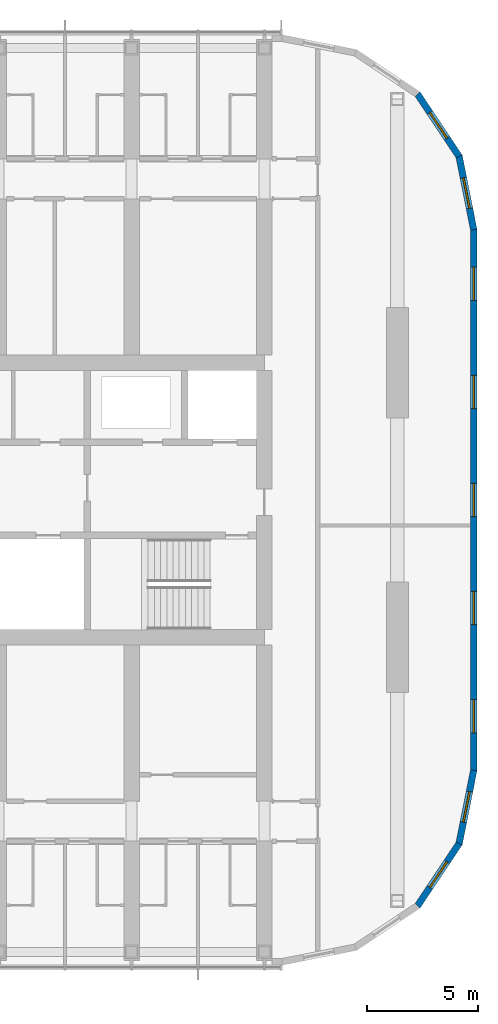
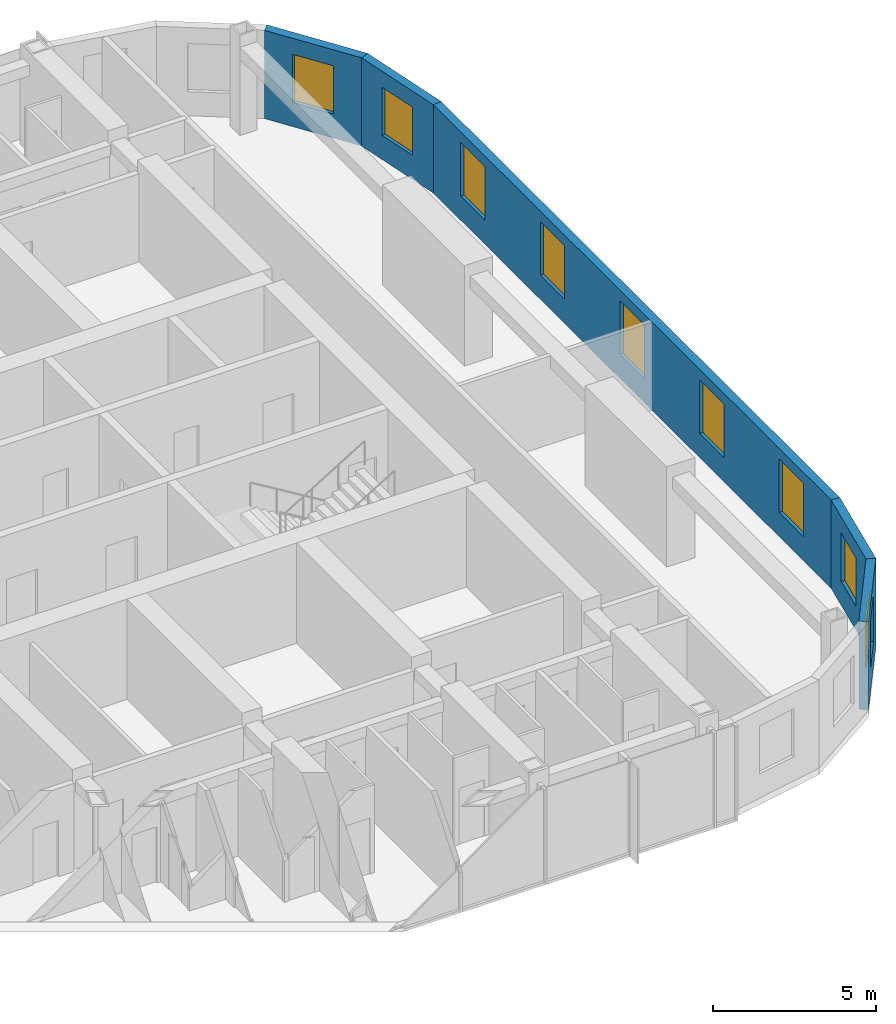
# One storey, part 19 of 24: 9 windows, 5 walls, 9 openings.
"""IFC4 building model written with IfcOpenShell, lengths in metres."""

from ifc_helpers import new_model, si_unit, direction, frame, frame_2d, origin, place, context, subcontext, project, spatial, polyline, rectangle, outline, extrude, material, layer, layer_set, type_object, element, fill, save


model = new_model("IFC4")

# Units and contexts
model_context = context("Model", 3, precision=1e-05, world=origin(), true_north=direction((0.0, 1.0)))
body_context = subcontext(model_context, "Body", "Model", "MODEL_VIEW")
ifc_project = project(units=[si_unit("LENGTHUNIT", "METRE"), si_unit("AREAUNIT", "SQUARE_METRE"), si_unit("VOLUMEUNIT", "CUBIC_METRE"), si_unit("PLANEANGLEUNIT", "RADIAN"), si_unit("MASSUNIT", "GRAM", prefix="KILO")], contexts=[model_context])

# Site, building, storey
site_placement = place(None, origin())
site = spatial("IfcSite", under=ifc_project, at=site_placement, CompositionType="ELEMENT")
building_placement = place(site_placement, origin())
building = spatial("IfcBuilding", under=site, at=building_placement, Name="Orbita Commons", CompositionType="ELEMENT")
storey_placement = place(building_placement, frame((0.0, 0.0, 242.800048828125)))
storey = spatial("IfcBuildingStorey", under=building, at=storey_placement, Name="L60", CompositionType="ELEMENT", Elevation=242.800048828125)

# Wall, openings, windows
ifc_material_1 = material(Name="Precast concrete C40/50, white board-marked finish", Category="concrete")
ifc_layer = layer(ifc_material_1, 0.300048828125)
ifc_layer_set = layer_set([ifc_layer], Name="Precast concrete C40/50, white board-marked finish")
wall_type = type_object("IfcWallType", Name="Precast concrete end shield 300", PredefinedType="SOLIDWALL", material=ifc_layer_set)
wall_1_placement = place(storey_placement, frame((75.449951171875, 19.800048828125, 0.0), z_axis=(0.0, 0.0, 1.0), x_axis=(0.0, 1.0, 0.0)))
wall_1 = element("IfcWall", 1, at=wall_1_placement, inside=storey, type_object=wall_type, Name="End shield E L60", PredefinedType="SOLIDWALL", context=body_context, shape_type="SweptSolid", body=[
    extrude(outline(polyline([(-0.014892578125, -0.14990234375), (24.414794921875, -0.14990234375), (24.385009765625, 0.14990234375), (0.014892578125, 0.14990234375), (-0.014892578125, -0.14990234375)])), origin(), (0.0, 0.0, 1.0), 3.300048828125),
])
opening_1_placement = place(wall_1_placement, frame((1.68994140625, 0.0, 0.89990234375)))
opening_1 = element("IfcOpeningElement", 2, at=opening_1_placement, cuts=wall_1, Name="Opening W01", PredefinedType="OPENING", context=body_context, shape_type="SweptSolid", body=[
    extrude(rectangle(XDim=1.5, YDim=2.0, at=frame_2d((0.75, 1.0))), frame((0.0, 0.159912109375, 0.0), z_axis=(0.0, -1.0, 0.0), x_axis=(1.0, 0.0, 0.0)), (0.0, 0.0, 1.0), 0.320068359375),
])
opening_2_placement = place(wall_1_placement, frame((6.570068359375, 0.0, 0.89990234375)))
opening_2 = element("IfcOpeningElement", 3, at=opening_2_placement, cuts=wall_1, Name="Opening W01", PredefinedType="OPENING", context=body_context, shape_type="SweptSolid", body=[
    extrude(rectangle(XDim=1.5, YDim=2.0, at=frame_2d((0.75, 1.0))), frame((0.0, 0.159912109375, 0.0), z_axis=(0.0, -1.0, 0.0), x_axis=(1.0, 0.0, 0.0)), (0.0, 0.0, 1.0), 0.320068359375),
])
opening_3_placement = place(wall_1_placement, frame((11.449951171875, 0.0, 0.89990234375)))
opening_3 = element("IfcOpeningElement", 4, at=opening_3_placement, cuts=wall_1, Name="Opening W01", PredefinedType="OPENING", context=body_context, shape_type="SweptSolid", body=[
    extrude(rectangle(XDim=1.5, YDim=2.0, at=frame_2d((0.75, 1.0))), frame((0.0, 0.159912109375, 0.0), z_axis=(0.0, -1.0, 0.0), x_axis=(1.0, 0.0, 0.0)), (0.0, 0.0, 1.0), 0.320068359375),
])
opening_4_placement = place(wall_1_placement, frame((16.330078125, 0.0, 0.89990234375)))
opening_4 = element("IfcOpeningElement", 5, at=opening_4_placement, cuts=wall_1, Name="Opening W01", PredefinedType="OPENING", context=body_context, shape_type="SweptSolid", body=[
    extrude(rectangle(XDim=1.5, YDim=2.0, at=frame_2d((0.75, 1.0))), frame((0.0, 0.159912109375, 0.0), z_axis=(0.0, -1.0, 0.0), x_axis=(1.0, 0.0, 0.0)), (0.0, 0.0, 1.0), 0.320068359375),
])
opening_5_placement = place(wall_1_placement, frame((21.2099609375, 0.0, 0.89990234375)))
opening_5 = element("IfcOpeningElement", 6, at=opening_5_placement, cuts=wall_1, Name="Opening W01", PredefinedType="OPENING", context=body_context, shape_type="SweptSolid", body=[
    extrude(rectangle(XDim=1.5, YDim=2.0, at=frame_2d((0.75, 1.0))), frame((0.0, 0.159912109375, 0.0), z_axis=(0.0, -1.0, 0.0), x_axis=(1.0, 0.0, 0.0)), (0.0, 0.0, 1.0), 0.320068359375),
])
ifc_material_2 = material(Name="Aluminium frame, clear double glazing", Category="aluminium")
window_type_1 = type_object("IfcWindowType", Name="Deep-set window 1500x2000", PartitioningType="SINGLE_PANEL", PredefinedType="WINDOW", material=ifc_material_2)
window_1_placement = place(opening_1_placement, origin())
window_1 = element("IfcWindow", 7, at=window_1_placement, inside=storey, type_object=window_type_1, Name="Window L60-E 1", OverallHeight=2.0, OverallWidth=1.5, PartitioningType="SINGLE_PANEL", PredefinedType="WINDOW", context=body_context, shape_type="SweptSolid", body=[
    extrude(rectangle(XDim=1.5, YDim=2.0, at=frame_2d((0.75, 1.0))), frame((0.0, 0.030029296875, 0.0), z_axis=(0.0, -1.0, 0.0), x_axis=(1.0, 0.0, 0.0)), (0.0, 0.0, 1.0), 0.06005859375),
])
fill(opening_1, window_1)
window_2_placement = place(opening_2_placement, origin())
window_2 = element("IfcWindow", 8, at=window_2_placement, inside=storey, type_object=window_type_1, Name="Window L60-E 2", OverallHeight=2.0, OverallWidth=1.5, PartitioningType="SINGLE_PANEL", PredefinedType="WINDOW", context=body_context, shape_type="SweptSolid", body=[
    extrude(rectangle(XDim=1.5, YDim=2.0, at=frame_2d((0.75, 1.0))), frame((0.0, 0.030029296875, 0.0), z_axis=(0.0, -1.0, 0.0), x_axis=(1.0, 0.0, 0.0)), (0.0, 0.0, 1.0), 0.06005859375),
])
fill(opening_2, window_2)
window_3_placement = place(opening_3_placement, origin())
window_3 = element("IfcWindow", 9, at=window_3_placement, inside=storey, type_object=window_type_1, Name="Window L60-E 3", OverallHeight=2.0, OverallWidth=1.5, PartitioningType="SINGLE_PANEL", PredefinedType="WINDOW", context=body_context, shape_type="SweptSolid", body=[
    extrude(rectangle(XDim=1.5, YDim=2.0, at=frame_2d((0.75, 1.0))), frame((0.0, 0.030029296875, 0.0), z_axis=(0.0, -1.0, 0.0), x_axis=(1.0, 0.0, 0.0)), (0.0, 0.0, 1.0), 0.06005859375),
])
fill(opening_3, window_3)
window_4_placement = place(opening_4_placement, origin())
window_4 = element("IfcWindow", 10, at=window_4_placement, inside=storey, type_object=window_type_1, Name="Window L60-E 4", OverallHeight=2.0, OverallWidth=1.5, PartitioningType="SINGLE_PANEL", PredefinedType="WINDOW", context=body_context, shape_type="SweptSolid", body=[
    extrude(rectangle(XDim=1.5, YDim=2.0, at=frame_2d((0.75, 1.0))), frame((0.0, 0.030029296875, 0.0), z_axis=(0.0, -1.0, 0.0), x_axis=(1.0, 0.0, 0.0)), (0.0, 0.0, 1.0), 0.06005859375),
])
fill(opening_4, window_4)
window_5_placement = place(opening_5_placement, origin())
window_5 = element("IfcWindow", 11, at=window_5_placement, inside=storey, type_object=window_type_1, Name="Window L60-E 5", OverallHeight=2.0, OverallWidth=1.5, PartitioningType="SINGLE_PANEL", PredefinedType="WINDOW", context=body_context, shape_type="SweptSolid", body=[
    extrude(rectangle(XDim=1.5, YDim=2.0, at=frame_2d((0.75, 1.0))), frame((0.0, 0.030029296875, 0.0), z_axis=(0.0, -1.0, 0.0), x_axis=(1.0, 0.0, 0.0)), (0.0, 0.0, 1.0), 0.06005859375),
])
fill(opening_5, window_5)

# Wall, opening, window
wall_2_placement = place(storey_placement, frame((72.91650390625, 13.68359375, 0.0), z_axis=(0.0, 0.0, 1.0), x_axis=(0.555567969291, 0.831471124873, 0.0)))
wall_2 = element("IfcWall", 12, at=wall_2_placement, inside=storey, type_object=wall_type, Name="End shield SE chord 3 L60", PredefinedType="SOLIDWALL", context=body_context, shape_type="SweptSolid", body=[
    extrude(outline(polyline([(-0.02978515625, -0.14990234375), (3.40478515625, -0.14990234375), (3.34521484375, 0.14990234375), (0.02978515625, 0.14990234375), (-0.02978515625, -0.14990234375)])), origin(), (0.0, 0.0, 1.0), 3.300048828125),
])
opening_6_placement = place(wall_2_placement, frame((0.987548828125, 0.0, 0.89990234375)))
opening_6 = element("IfcOpeningElement", 13, at=opening_6_placement, cuts=wall_2, Name="Opening W02", PredefinedType="OPENING", context=body_context, shape_type="SweptSolid", body=[
    extrude(rectangle(XDim=1.39990234375, YDim=1.800048828125, at=frame_2d((0.699951171875, 0.89990234375))), frame((0.0, 0.159912109375, 0.0), z_axis=(0.0, -1.0, 0.0), x_axis=(1.0, 0.0, 0.0)), (0.0, 0.0, 1.0), 0.320068359375),
])
ifc_material_3 = material(Name="Aluminium frame, clear double glazing", Category="aluminium")
window_type_2 = type_object("IfcWindowType", Name="Deep-set window 1400x1800", PartitioningType="SINGLE_PANEL", PredefinedType="WINDOW", material=ifc_material_3)
window_6_placement = place(opening_6_placement, origin())
window_6 = element("IfcWindow", 14, at=window_6_placement, inside=storey, type_object=window_type_2, Name="Window L60-SE2", OverallHeight=1.800048828125, OverallWidth=1.39990234375, PartitioningType="SINGLE_PANEL", PredefinedType="WINDOW", context=body_context, shape_type="SweptSolid", body=[
    extrude(rectangle(XDim=1.39990234375, YDim=1.800048828125, at=frame_2d((0.699951171875, 0.89990234375))), frame((0.0, 0.030029296875, 0.0), z_axis=(0.0, -1.0, 0.0), x_axis=(1.0, 0.0, 0.0)), (0.0, 0.0, 1.0), 0.06005859375),
])
fill(opening_6, window_6)

wall_3_placement = place(storey_placement, frame((74.79150390625, 16.48974609375, 0.0), z_axis=(0.0, 0.0, 1.0), x_axis=(0.19508664885, 0.980786011034, 0.0)))
wall_3 = element("IfcWall", 15, at=wall_3_placement, inside=storey, type_object=wall_type, Name="End shield SE chord 4 L60", PredefinedType="SOLIDWALL", context=body_context, shape_type="SweptSolid", body=[
    extrude(outline(polyline([(-0.02978515625, -0.14990234375), (3.39013671875, -0.14990234375), (3.3603515625, 0.14990234375), (0.02978515625, 0.14990234375), (-0.02978515625, -0.14990234375)])), origin(), (0.0, 0.0, 1.0), 3.300048828125),
])
opening_7_placement = place(wall_3_placement, frame((0.987548828125, 0.0, 0.89990234375)))
opening_7 = element("IfcOpeningElement", 16, at=opening_7_placement, cuts=wall_3, Name="Opening W02", PredefinedType="OPENING", context=body_context, shape_type="SweptSolid", body=[
    extrude(rectangle(XDim=1.39990234375, YDim=1.800048828125, at=frame_2d((0.699951171875, 0.89990234375))), frame((0.0, 0.159912109375, 0.0), z_axis=(0.0, -1.0, 0.0), x_axis=(1.0, 0.0, 0.0)), (0.0, 0.0, 1.0), 0.320068359375),
])
window_7_placement = place(opening_7_placement, origin())
window_7 = element("IfcWindow", 17, at=window_7_placement, inside=storey, type_object=window_type_2, Name="Window L60-SE3", OverallHeight=1.800048828125, OverallWidth=1.39990234375, PartitioningType="SINGLE_PANEL", PredefinedType="WINDOW", context=body_context, shape_type="SweptSolid", body=[
    extrude(rectangle(XDim=1.39990234375, YDim=1.800048828125, at=frame_2d((0.699951171875, 0.89990234375))), frame((0.0, 0.030029296875, 0.0), z_axis=(0.0, -1.0, 0.0), x_axis=(1.0, 0.0, 0.0)), (0.0, 0.0, 1.0), 0.06005859375),
])
fill(opening_7, window_7)

wall_4_placement = place(storey_placement, frame((75.449951171875, 44.199951171875, 0.0), z_axis=(0.0, 0.0, 1.0), x_axis=(-0.19508664885, 0.980786011034, 0.0)))
wall_4 = element("IfcWall", 18, at=wall_4_placement, inside=storey, type_object=wall_type, Name="End shield NE chord 1 L60", PredefinedType="SOLIDWALL", context=body_context, shape_type="SweptSolid", body=[
    extrude(outline(polyline([(-0.014892578125, -0.14990234375), (3.405029296875, -0.14990234375), (3.345458984375, 0.14990234375), (0.014892578125, 0.14990234375), (-0.014892578125, -0.14990234375)])), origin(), (0.0, 0.0, 1.0), 3.300048828125),
])
opening_8_placement = place(wall_4_placement, frame((0.987548828125, 0.0, 0.89990234375)))
opening_8 = element("IfcOpeningElement", 19, at=opening_8_placement, cuts=wall_4, Name="Opening W02", PredefinedType="OPENING", context=body_context, shape_type="SweptSolid", body=[
    extrude(rectangle(XDim=1.39990234375, YDim=1.800048828125, at=frame_2d((0.699951171875, 0.89990234375))), frame((0.0, 0.159912109375, 0.0), z_axis=(0.0, -1.0, 0.0), x_axis=(1.0, 0.0, 0.0)), (0.0, 0.0, 1.0), 0.320068359375),
])
window_8_placement = place(opening_8_placement, origin())
window_8 = element("IfcWindow", 20, at=window_8_placement, inside=storey, type_object=window_type_2, Name="Window L60-NE0", OverallHeight=1.800048828125, OverallWidth=1.39990234375, PartitioningType="SINGLE_PANEL", PredefinedType="WINDOW", context=body_context, shape_type="SweptSolid", body=[
    extrude(rectangle(XDim=1.39990234375, YDim=1.800048828125, at=frame_2d((0.699951171875, 0.89990234375))), frame((0.0, 0.030029296875, 0.0), z_axis=(0.0, -1.0, 0.0), x_axis=(1.0, 0.0, 0.0)), (0.0, 0.0, 1.0), 0.06005859375),
])
fill(opening_8, window_8)

wall_5_placement = place(storey_placement, frame((74.79150390625, 47.51025390625, 0.0), z_axis=(0.0, 0.0, 1.0), x_axis=(-0.555567969291, 0.831471124873, 0.0)))
wall_5 = element("IfcWall", 21, at=wall_5_placement, inside=storey, type_object=wall_type, Name="End shield NE chord 2 L60", PredefinedType="SOLIDWALL", context=body_context, shape_type="SweptSolid", body=[
    extrude(outline(polyline([(-0.02978515625, -0.14990234375), (3.40478515625, -0.14990234375), (3.34521484375, 0.14990234375), (0.02978515625, 0.14990234375), (-0.02978515625, -0.14990234375)])), origin(), (0.0, 0.0, 1.0), 3.300048828125),
])
opening_9_placement = place(wall_5_placement, frame((0.987548828125, 0.0, 0.89990234375)))
opening_9 = element("IfcOpeningElement", 22, at=opening_9_placement, cuts=wall_5, Name="Opening W02", PredefinedType="OPENING", context=body_context, shape_type="SweptSolid", body=[
    extrude(rectangle(XDim=1.39990234375, YDim=1.800048828125, at=frame_2d((0.699951171875, 0.89990234375))), frame((0.0, 0.159912109375, 0.0), z_axis=(0.0, -1.0, 0.0), x_axis=(1.0, 0.0, 0.0)), (0.0, 0.0, 1.0), 0.320068359375),
])
window_9_placement = place(opening_9_placement, origin())
window_9 = element("IfcWindow", 23, at=window_9_placement, inside=storey, type_object=window_type_2, Name="Window L60-NE1", OverallHeight=1.800048828125, OverallWidth=1.39990234375, PartitioningType="SINGLE_PANEL", PredefinedType="WINDOW", context=body_context, shape_type="SweptSolid", body=[
    extrude(rectangle(XDim=1.39990234375, YDim=1.800048828125, at=frame_2d((0.699951171875, 0.89990234375))), frame((0.0, 0.030029296875, 0.0), z_axis=(0.0, -1.0, 0.0), x_axis=(1.0, 0.0, 0.0)), (0.0, 0.0, 1.0), 0.06005859375),
])
fill(opening_9, window_9)

save(model, "model.ifc")
